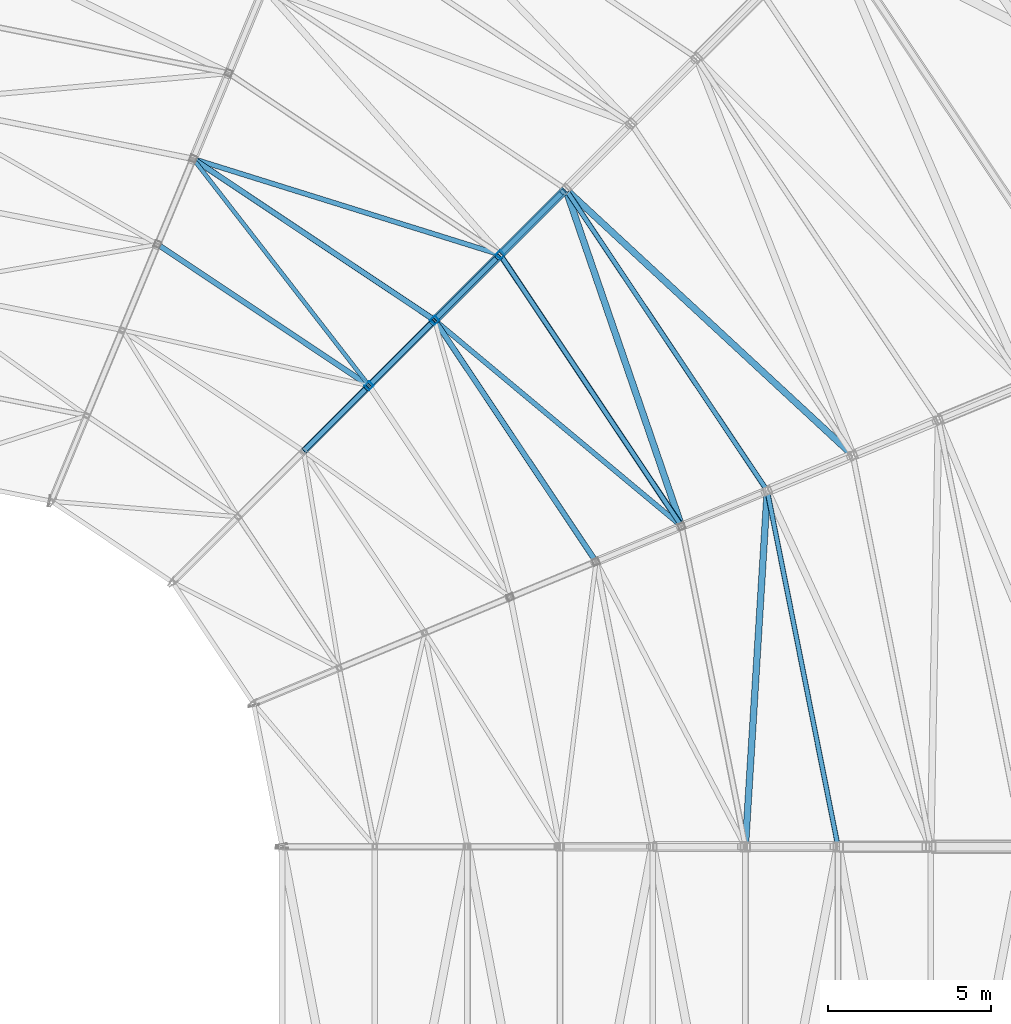
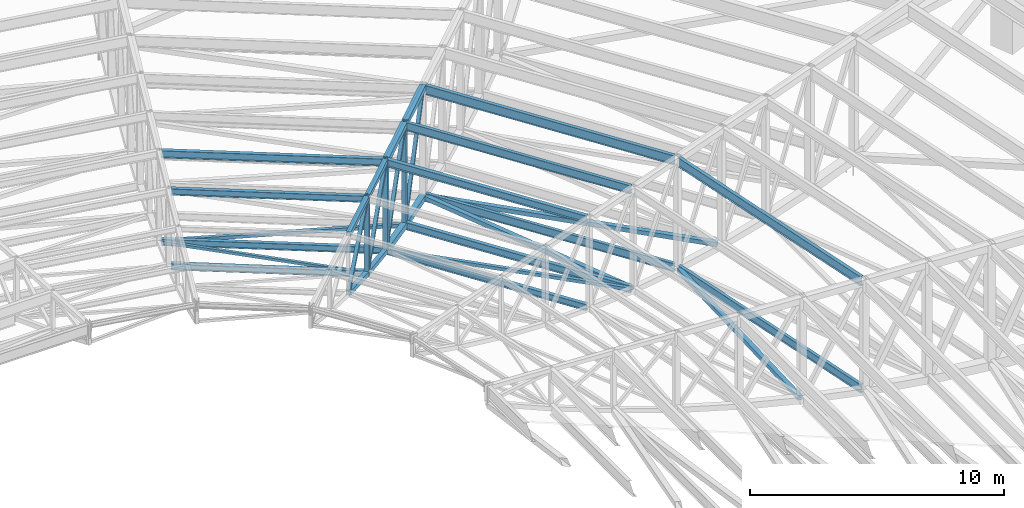
# One storey, part 100 of 278: 22 members, 11 beams.
"""IFC4 building model written with IfcOpenShell, lengths in metres."""

from ifc_helpers import new_model, si_unit, direction, frame, origin, origin_2d, place, context, subcontext, project, spatial, hollow_rectangle, i_section, extrude, material, material_profile, profile_set, type_object, element, save


model = new_model("IFC4")

# Units and contexts
model_context = context("Model", 3, precision=1e-05, world=origin(), true_north=direction((0.0, 1.0)))
body_context = subcontext(model_context, "Body", "Model", "MODEL_VIEW")
ifc_project = project(units=[si_unit("LENGTHUNIT", "METRE"), si_unit("AREAUNIT", "SQUARE_METRE"), si_unit("VOLUMEUNIT", "CUBIC_METRE"), si_unit("PLANEANGLEUNIT", "RADIAN"), si_unit("MASSUNIT", "GRAM", prefix="KILO")], contexts=[model_context])

# Site, building, storey
site_placement = place(None, origin())
site = spatial("IfcSite", under=ifc_project, at=site_placement, CompositionType="ELEMENT")
building_placement = place(site_placement, origin())
building = spatial("IfcBuilding", under=site, at=building_placement, Name="Ogive Plaza Stadium", CompositionType="ELEMENT")
storey_placement = place(building_placement, frame((0.0, 0.0, 29.0)))
storey = spatial("IfcBuildingStorey", under=building, at=storey_placement, Name="Roof", CompositionType="ELEMENT", Elevation=29.0)

# Members
ifc_material_1 = material(Name="Steel ASTM A500 Grade C", Category="steel")
ifc_material_profile_1 = material_profile(ifc_material_1, hollow_rectangle(XDim=0.126953125, YDim=0.126953125, WallThickness=0.005859375, at=origin_2d()), Name="HSS5X5X1/4")
ifc_profile_set_1 = profile_set([ifc_material_profile_1], Name="Steel ASTM A500 Grade C")
member_type_1 = type_object("IfcMemberType", Name="Roof plan brace HSS5X5X1/4", PredefinedType="BRACE", material=ifc_profile_set_1)
member_1_placement = place(storey_placement, frame((48.128173828125, 66.740966796875, 3.242431640625), z_axis=(-0.610365157138, 0.786839994171, -0.091308260987), x_axis=(-0.790140667969, -0.612925545904, 0.0)))
element("IfcMember", 1, at=member_1_placement, inside=storey, type_object=member_type_1, Name="ROOF BRACE B38 4", PredefinedType="BRACE", context=body_context, shape_type="SweptSolid", body=[
    extrude(hollow_rectangle(XDim=0.126953125, YDim=0.126953125, WallThickness=0.005859375, at=origin_2d()), origin(), (0.0, 0.0, 1.0), 8.665771484375),
])
ifc_material_2 = material(Name="Steel ASTM A500 Grade C", Category="steel")
ifc_material_profile_2 = material_profile(ifc_material_2, hollow_rectangle(XDim=0.15234375, YDim=0.15234375, WallThickness=0.005859375, at=origin_2d()), Name="HSS6X6X1/4")
ifc_profile_set_2 = profile_set([ifc_material_profile_2], Name="Steel ASTM A500 Grade C")
member_type_2 = type_object("IfcMemberType", Name="Roof plan brace HSS6X6X1/4", PredefinedType="BRACE", material=ifc_profile_set_2)
member_2_placement = place(storey_placement, frame((42.8388671875, 73.63330078125, 2.434326171875), z_axis=(0.952128458571, -0.297280996197, -0.071241895538), x_axis=(0.29803829123, 0.954553915167, 0.0)))
element("IfcMember", 2, at=member_2_placement, inside=storey, type_object=member_type_2, Name="ROOF BRACE B38 5", PredefinedType="BRACE", context=body_context, shape_type="SweptSolid", body=[
    extrude(hollow_rectangle(XDim=0.15234375, YDim=0.15234375, WallThickness=0.005859375, at=origin_2d()), origin(), (0.0, 0.0, 1.0), 9.71533203125),
])
member_3_placement = place(storey_placement, frame((50.25341796875, 68.64208984375, 2.434326171875), z_axis=(0.765879779934, -0.639024737472, -0.071242877452), x_axis=(0.640652637194, 0.76783083974, 0.0)))
element("IfcMember", 3, at=member_3_placement, inside=storey, type_object=member_type_2, Name="ROOF BRACE B39 5", PredefinedType="BRACE", context=body_context, shape_type="SweptSolid", body=[
    extrude(hollow_rectangle(XDim=0.15234375, YDim=0.15234375, WallThickness=0.005859375, at=origin_2d()), origin(), (0.0, 0.0, 1.0), 9.715087890625),
])
ifc_material_3 = material(Name="Steel ASTM A500 Grade C", Category="steel")
ifc_material_profile_3 = material_profile(ifc_material_3, hollow_rectangle(XDim=0.203125, YDim=0.203125, WallThickness=0.0087890625, at=origin_2d()), Name="HSS8X8X3/8")
ifc_profile_set_3 = profile_set([ifc_material_profile_3], Name="Steel ASTM A500 Grade C")
member_type_3 = type_object("IfcMemberType", Name="Roof plan brace HSS8X8X3/8", PredefinedType="BRACE", material=ifc_profile_set_3)
member_4_placement = place(storey_placement, frame((57.764404296875, 62.427978515625, 1.729248046875), z_axis=(-0.324841491464, 0.944427194148, -0.050351567781), x_axis=(-0.945626669251, -0.325254058239, 0.0)))
element("IfcMember", 4, at=member_4_placement, inside=storey, type_object=member_type_3, Name="ROOF BRACE B39 6", PredefinedType="BRACE", context=body_context, shape_type="SweptSolid", body=[
    extrude(hollow_rectangle(XDim=0.203125, YDim=0.203125, WallThickness=0.0087890625, at=origin_2d()), origin(), (0.0, 0.0, 1.0), 10.739990234375),
])
member_5_placement = place(storey_placement, frame((54.29736328125, 72.654541015625, 1.176513671875), z_axis=(0.732871590616, -0.679343772356, -0.037299740335), x_axis=(0.679816841557, 0.733381934557, 0.0)))
element("IfcMember", 5, at=member_5_placement, inside=storey, type_object=member_type_3, Name="ROOF BRACE B39 7", PredefinedType="BRACE", context=body_context, shape_type="SweptSolid", body=[
    extrude(hollow_rectangle(XDim=0.203125, YDim=0.203125, WallThickness=0.0087890625, at=origin_2d()), origin(), (0.0, 0.0, 1.0), 11.794677734375),
])
member_6_placement = place(storey_placement, frame((59.7578125, 52.628662109375, 1.726806640625), z_axis=(0.061302318892, 0.996847879298, -0.050362001921), x_axis=(-0.998114457362, 0.061380208582, 0.0)))
element("IfcMember", 6, at=member_6_placement, inside=storey, type_object=member_type_3, Name="ROOF BRACE B40 6", PredefinedType="BRACE", context=body_context, shape_type="SweptSolid", body=[
    extrude(hollow_rectangle(XDim=0.203125, YDim=0.203125, WallThickness=0.0087890625, at=origin_2d()), origin(), (0.0, 0.0, 1.0), 10.689208984375),
])
ifc_material_4 = material(Name="Steel ASTM A992 Grade 50", Category="steel")
ifc_material_profile_4 = material_profile(ifc_material_4, i_section(OverallWidth=0.164794921875, OverallDepth=0.310302734375, WebThickness=0.005859375, FlangeThickness=0.009765625, at=origin_2d()), Name="W12X26")
ifc_profile_set_4 = profile_set([ifc_material_profile_4], Name="Steel ASTM A992 Grade 50")
member_type_4 = type_object("IfcMemberType", Name="Roof plan strut W12X26", PredefinedType="STRUT", material=ifc_profile_set_4)
member_7_placement = place(storey_placement, frame((41.74755859375, 70.973876953125, 3.249755859375), z_axis=(0.831474896434, -0.555562324677, 0.0), x_axis=(0.555562324677, 0.831474896434, 0.0)))
element("IfcMember", 7, at=member_7_placement, inside=storey, type_object=member_type_4, Name="ROOF STRUT B38 3", PredefinedType="STRUT", context=body_context, shape_type="SweptSolid", body=[
    extrude(i_section(OverallWidth=0.164794921875, OverallDepth=0.310302734375, WebThickness=0.005859375, FlangeThickness=0.009765625, at=origin_2d()), origin(), (0.0, 0.0, 1.0), 7.643310546875),
])
for number, where, z_axis, x_axis, name in (
    (8, (42.83837890625, 73.60693359375, 2.43994140625), (0.831457792785, -0.555587921771, 0.0), (0.555587921771, 0.831457792785, 0.0), "ROOF STRUT B38 4"),
    (9, (50.24267578125, 68.617919921875, 2.43994140625), (0.555587921771, -0.831457792785, 0.0), (0.831457792785, 0.555587921771, 0.0), "ROOF STRUT B39 4"),
):
    element("IfcMember", number, at=place(storey_placement, frame(where, z_axis=z_axis, x_axis=x_axis)), inside=storey, type_object=member_type_4, Name=name, PredefinedType="STRUT", context=body_context, shape_type="SweptSolid", body=[
        extrude(i_section(OverallWidth=0.164794921875, OverallDepth=0.310302734375, WebThickness=0.005859375, FlangeThickness=0.009765625, at=origin_2d()), origin(), (0.0, 0.0, 1.0), 8.755126953125),
    ])
ifc_material_5 = material(Name="Steel ASTM A992 Grade 50", Category="steel")
ifc_material_profile_5 = material_profile(ifc_material_5, i_section(OverallWidth=0.17138671875, OverallDepth=0.35498046875, WebThickness=0.00732421875, FlangeThickness=0.011474609375, at=origin_2d()), Name="W14X34")
ifc_profile_set_5 = profile_set([ifc_material_profile_5], Name="Steel ASTM A992 Grade 50")
member_type_5 = type_object("IfcMemberType", Name="Roof plan strut W14X34", PredefinedType="STRUT", material=ifc_profile_set_5)
member_8_placement = place(storey_placement, frame((52.25830078125, 70.632568359375, 1.733154296875), z_axis=(0.55557361639, -0.831467351597, 0.0), x_axis=(0.831467351597, 0.55557361639, 0.0)))
element("IfcMember", 10, at=member_8_placement, inside=storey, type_object=member_type_5, Name="ROOF STRUT B39 5", PredefinedType="STRUT", context=body_context, shape_type="SweptSolid", body=[
    extrude(i_section(OverallWidth=0.17138671875, OverallDepth=0.35498046875, WebThickness=0.00732421875, FlangeThickness=0.011474609375, at=origin_2d()), origin(), (0.0, 0.0, 1.0), 9.86572265625),
])
ifc_material_6 = material(Name="Steel ASTM A992 Grade 50", Category="steel")
ifc_material_profile_6 = material_profile(ifc_material_6, i_section(OverallWidth=0.140380859375, OverallDepth=0.4033203125, WebThickness=0.007080078125, FlangeThickness=0.01123046875, at=origin_2d()), Name="W16X31")
ifc_profile_set_6 = profile_set([ifc_material_profile_6], Name="Steel ASTM A992 Grade 50")
member_type_6 = type_object("IfcMemberType", Name="Roof plan strut W16X31", PredefinedType="STRUT", material=ifc_profile_set_6)
member_9_placement = place(storey_placement, frame((54.286376953125, 72.62890625, 1.180419921875), z_axis=(0.555560551847, -0.831476080974, 0.0), x_axis=(0.831476080974, 0.555560551847, 0.0)))
element("IfcMember", 11, at=member_9_placement, inside=storey, type_object=member_type_6, Name="ROOF STRUT B39 6", PredefinedType="STRUT", context=body_context, shape_type="SweptSolid", body=[
    extrude(i_section(OverallWidth=0.140380859375, OverallDepth=0.4033203125, WebThickness=0.007080078125, FlangeThickness=0.01123046875, at=origin_2d()), origin(), (0.0, 0.0, 1.0), 10.93212890625),
])
member_10_placement = place(storey_placement, frame((60.445068359375, 63.33349609375, 1.180419921875), z_axis=(0.195087168164, -0.980785907738, 0.0), x_axis=(0.980785907738, 0.195087168164, 0.0)))
element("IfcMember", 12, at=member_10_placement, inside=storey, type_object=member_type_6, Name="ROOF STRUT B40 6", PredefinedType="STRUT", context=body_context, shape_type="SweptSolid", body=[
    extrude(i_section(OverallWidth=0.140380859375, OverallDepth=0.4033203125, WebThickness=0.007080078125, FlangeThickness=0.01123046875, at=origin_2d()), origin(), (0.0, 0.0, 1.0), 10.90625),
])
ifc_material_7 = material(Name="Steel ASTM A992 Grade 50", Category="steel")
ifc_material_profile_7 = material_profile(ifc_material_7, i_section(OverallWidth=0.164794921875, OverallDepth=0.310302734375, WebThickness=0.005859375, FlangeThickness=0.009765625, at=origin_2d()), Name="W12X26")
ifc_profile_set_7 = profile_set([ifc_material_profile_7], Name="Steel ASTM A992 Grade 50")
member_type_7 = type_object("IfcMemberType", Name="Roof purlin W12X26", PredefinedType="PURLIN", material=ifc_profile_set_7)
member_11_placement = place(storey_placement, frame((41.74755859375, 70.973876953125, 6.84228515625), z_axis=(0.831474896434, -0.555562324677, 0.0), x_axis=(0.555562324677, 0.831474896434, 0.0)))
element("IfcMember", 13, at=member_11_placement, inside=storey, type_object=member_type_7, Name="ROOF PURLIN B38 3", PredefinedType="PURLIN", context=body_context, shape_type="SweptSolid", body=[
    extrude(i_section(OverallWidth=0.164794921875, OverallDepth=0.310302734375, WebThickness=0.005859375, FlangeThickness=0.009765625, at=origin_2d()), origin(), (0.0, 0.0, 1.0), 7.643310546875),
])
ifc_material_8 = material(Name="Steel ASTM A992 Grade 50", Category="steel")
ifc_material_profile_8 = material_profile(ifc_material_8, i_section(OverallWidth=0.17138671875, OverallDepth=0.35498046875, WebThickness=0.00732421875, FlangeThickness=0.011474609375, at=origin_2d()), Name="W14X34")
ifc_profile_set_8 = profile_set([ifc_material_profile_8], Name="Steel ASTM A992 Grade 50")
member_type_8 = type_object("IfcMemberType", Name="Roof purlin W14X34", PredefinedType="PURLIN", material=ifc_profile_set_8)
for number, where, z_axis, x_axis, name in (
    (14, (42.8388671875, 73.6064453125, 6.677490234375), (0.83147489099, -0.555562332825, 0.0), (0.555562332825, 0.83147489099, 0.0), "ROOF PURLIN B38 4"),
    (15, (50.2431640625, 68.617431640625, 6.677490234375), (0.555562332825, -0.83147489099, 0.0), (0.83147489099, 0.555562332825, 0.0), "ROOF PURLIN B39 4"),
):
    element("IfcMember", number, at=place(storey_placement, frame(where, z_axis=z_axis, x_axis=x_axis)), inside=storey, type_object=member_type_8, Name=name, PredefinedType="PURLIN", context=body_context, shape_type="SweptSolid", body=[
        extrude(i_section(OverallWidth=0.17138671875, OverallDepth=0.35498046875, WebThickness=0.00732421875, FlangeThickness=0.011474609375, at=origin_2d()), origin(), (0.0, 0.0, 1.0), 8.75390625),
    ])
ifc_material_9 = material(Name="Steel ASTM A992 Grade 50", Category="steel")
ifc_material_profile_9 = material_profile(ifc_material_9, i_section(OverallWidth=0.140380859375, OverallDepth=0.4033203125, WebThickness=0.007080078125, FlangeThickness=0.01123046875, at=origin_2d()), Name="W16X31")
ifc_profile_set_9 = profile_set([ifc_material_profile_9], Name="Steel ASTM A992 Grade 50")
member_type_9 = type_object("IfcMemberType", Name="Roof purlin W16X31", PredefinedType="PURLIN", material=ifc_profile_set_9)
member_12_placement = place(storey_placement, frame((52.256591796875, 70.63525390625, 6.5107421875), z_axis=(0.555573071416, -0.831467715739, 0.0), x_axis=(0.831467715739, 0.555573071416, 0.0)))
element("IfcMember", 16, at=member_12_placement, inside=storey, type_object=member_type_9, Name="ROOF PURLIN B39 5", PredefinedType="PURLIN", context=body_context, shape_type="SweptSolid", body=[
    extrude(i_section(OverallWidth=0.140380859375, OverallDepth=0.4033203125, WebThickness=0.007080078125, FlangeThickness=0.01123046875, at=origin_2d()), origin(), (0.0, 0.0, 1.0), 9.8720703125),
])
ifc_material_10 = material(Name="Steel ASTM A992 Grade 50", Category="steel")
ifc_material_profile_10 = material_profile(ifc_material_10, i_section(OverallWidth=0.15234375, OverallDepth=0.449462890625, WebThickness=0.007568359375, FlangeThickness=0.0107421875, at=origin_2d()), Name="W18X35")
ifc_profile_set_10 = profile_set([ifc_material_profile_10], Name="Steel ASTM A992 Grade 50")
member_type_10 = type_object("IfcMemberType", Name="Roof purlin W18X35", PredefinedType="PURLIN", material=ifc_profile_set_10)
member_13_placement = place(storey_placement, frame((54.286865234375, 72.6279296875, 6.34521484375), z_axis=(0.555581326448, -0.831462199803, 0.0), x_axis=(0.831462199803, 0.555581326448, 0.0)))
element("IfcMember", 17, at=member_13_placement, inside=storey, type_object=member_type_10, Name="ROOF PURLIN B39 6", PredefinedType="PURLIN", context=body_context, shape_type="SweptSolid", body=[
    extrude(i_section(OverallWidth=0.15234375, OverallDepth=0.449462890625, WebThickness=0.007568359375, FlangeThickness=0.0107421875, at=origin_2d()), origin(), (0.0, 0.0, 1.0), 10.929931640625),
])
member_14_placement = place(storey_placement, frame((60.4453125, 63.332275390625, 6.34521484375), z_axis=(0.195086933188, -0.980785954477, 0.0), x_axis=(0.980785954477, 0.195086933188, 0.0)))
element("IfcMember", 18, at=member_14_placement, inside=storey, type_object=member_type_10, Name="ROOF PURLIN B40 6", PredefinedType="PURLIN", context=body_context, shape_type="SweptSolid", body=[
    extrude(i_section(OverallWidth=0.15234375, OverallDepth=0.449462890625, WebThickness=0.007568359375, FlangeThickness=0.0107421875, at=origin_2d()), origin(), (0.0, 0.0, 1.0), 10.90380859375),
])

# Beams
ifc_material_11 = material(Name="Steel ASTM A500 Grade C", Category="steel")
ifc_material_profile_11 = material_profile(ifc_material_11, hollow_rectangle(XDim=0.25390625, YDim=0.25390625, WallThickness=0.01171875, at=origin_2d()), Name="HSS10X10X1/2")
ifc_profile_set_11 = profile_set([ifc_material_profile_11], Name="Steel ASTM A500 Grade C")
beam_type_1 = type_object("IfcBeamType", Name="Roof truss bottom chord HSS10X10X1/2", PredefinedType="BEAM", material=ifc_profile_set_11)
beam_1_placement = place(storey_placement, frame((50.222412109375, 68.722412109375, 2.433349609375), z_axis=(0.686330364607, 0.686330364607, -0.240626809059), x_axis=(-0.707106781187, 0.707106781187, 0.0)))
element("IfcBeam", 19, at=beam_1_placement, inside=storey, type_object=beam_type_1, Name="ROOF TRUSS T39 BOTTOM CHORD 5", PredefinedType="BEAM", context=body_context, shape_type="SweptSolid", body=[
    extrude(hollow_rectangle(XDim=0.25390625, YDim=0.25390625, WallThickness=0.01171875, at=origin_2d()), origin(), (0.0, 0.0, 1.0), 2.85009765625),
])
beam_2_placement = place(storey_placement, frame((52.2412109375, 70.7412109375, 1.726318359375), z_axis=(0.692987168322, 0.692987168322, -0.198840561966), x_axis=(-0.707106781187, 0.707106781187, 0.0)))
element("IfcBeam", 20, at=beam_2_placement, inside=storey, type_object=beam_type_1, Name="ROOF TRUSS T39 BOTTOM CHORD 6", PredefinedType="BEAM", context=body_context, shape_type="SweptSolid", body=[
    extrude(hollow_rectangle(XDim=0.25390625, YDim=0.25390625, WallThickness=0.01171875, at=origin_2d()), origin(), (0.0, 0.0, 1.0), 2.809326171875),
])
ifc_material_12 = material(Name="Steel ASTM A500 Grade C", Category="steel")
ifc_material_profile_12 = material_profile(ifc_material_12, hollow_rectangle(XDim=0.203125, YDim=0.203125, WallThickness=0.01171875, at=origin_2d()), Name="HSS8X8X1/2")
ifc_profile_set_12 = profile_set([ifc_material_profile_12], Name="Steel ASTM A500 Grade C")
beam_type_2 = type_object("IfcBeamType", Name="Roof truss bottom chord HSS8X8X1/2", PredefinedType="BEAM", material=ifc_profile_set_12)
beam_3_placement = place(storey_placement, frame((46.185302734375, 64.685302734375, 4.208251953125), z_axis=(0.669842885188, 0.669842885188, -0.32034515499), x_axis=(-0.707106781187, 0.707106781187, 0.0)))
element("IfcBeam", 21, at=beam_3_placement, inside=storey, type_object=beam_type_2, Name="ROOF TRUSS T39 BOTTOM CHORD 3", PredefinedType="BEAM", context=body_context, shape_type="SweptSolid", body=[
    extrude(hollow_rectangle(XDim=0.203125, YDim=0.203125, WallThickness=0.01171875, at=origin_2d()), origin(), (0.0, 0.0, 1.0), 2.93115234375),
])
beam_4_placement = place(storey_placement, frame((48.208740234375, 66.708740234375, 3.2412109375), z_axis=(0.678564027616, 0.678564027616, -0.281250281514), x_axis=(-0.707106781187, 0.707106781187, 0.0)))
element("IfcBeam", 22, at=beam_4_placement, inside=storey, type_object=beam_type_2, Name="ROOF TRUSS T39 BOTTOM CHORD 4", PredefinedType="BEAM", context=body_context, shape_type="SweptSolid", body=[
    extrude(hollow_rectangle(XDim=0.203125, YDim=0.203125, WallThickness=0.01171875, at=origin_2d()), origin(), (0.0, 0.0, 1.0), 2.877685546875),
])

# Members
ifc_material_13 = material(Name="Steel ASTM A500 Grade C", Category="steel")
ifc_material_profile_13 = material_profile(ifc_material_13, hollow_rectangle(XDim=0.15234375, YDim=0.15234375, WallThickness=0.005859375, at=origin_2d()), Name="HSS6X6X1/4")
ifc_profile_set_13 = profile_set([ifc_material_profile_13], Name="Steel ASTM A500 Grade C")
member_type_11 = type_object("IfcMemberType", Name="Roof truss diagonal HSS6X6X1/4", PredefinedType="BRACE", material=ifc_profile_set_13)
member_15_placement = place(storey_placement, frame((46.216064453125, 64.716064453125, 4.315185546875), z_axis=(0.518402991989, 0.518402991989, 0.680085785614), x_axis=(-0.707106781187, 0.707106781187, 0.0)))
element("IfcMember", 23, at=member_15_placement, inside=storey, type_object=member_type_11, Name="ROOF TRUSS T39 DIAGONAL 3", PredefinedType="BRACE", context=body_context, shape_type="SweptSolid", body=[
    extrude(hollow_rectangle(XDim=0.15234375, YDim=0.15234375, WallThickness=0.005859375, at=origin_2d()), origin(), (0.0, 0.0, 1.0), 3.64501953125),
])
member_16_placement = place(storey_placement, frame((48.249267578125, 66.749267578125, 3.3515625), z_axis=(0.442396624327, 0.442396624327, 0.780109257456), x_axis=(-0.707106781187, 0.707106781187, 0.0)))
element("IfcMember", 24, at=member_16_placement, inside=storey, type_object=member_type_11, Name="ROOF TRUSS T39 DIAGONAL 4", PredefinedType="BRACE", context=body_context, shape_type="SweptSolid", body=[
    extrude(hollow_rectangle(XDim=0.15234375, YDim=0.15234375, WallThickness=0.005859375, at=origin_2d()), origin(), (0.0, 0.0, 1.0), 4.23046875),
])
member_17_placement = place(storey_placement, frame((50.2646484375, 68.7646484375, 2.56689453125), z_axis=(0.397667434985, 0.397667434985, 0.826874369118), x_axis=(-0.707106781187, 0.707106781187, 0.0)))
element("IfcMember", 25, at=member_17_placement, inside=storey, type_object=member_type_11, Name="ROOF TRUSS T39 DIAGONAL 5", PredefinedType="BRACE", context=body_context, shape_type="SweptSolid", body=[
    extrude(hollow_rectangle(XDim=0.15234375, YDim=0.15234375, WallThickness=0.005859375, at=origin_2d()), origin(), (0.0, 0.0, 1.0), 4.706298828125),
])
ifc_material_14 = material(Name="Steel ASTM A500 Grade C", Category="steel")
ifc_material_profile_14 = material_profile(ifc_material_14, hollow_rectangle(XDim=0.15234375, YDim=0.15234375, WallThickness=0.0087890625, at=origin_2d()), Name="HSS6X6X3/8")
ifc_profile_set_14 = profile_set([ifc_material_profile_14], Name="Steel ASTM A500 Grade C")
member_type_12 = type_object("IfcMemberType", Name="Roof truss diagonal HSS6X6X3/8", PredefinedType="BRACE", material=ifc_profile_set_14)
member_18_placement = place(storey_placement, frame((52.27978515625, 70.77978515625, 1.8603515625), z_axis=(0.358587564361, 0.358587564361, 0.861875813195), x_axis=(-0.707106781187, 0.707106781187, 0.0)))
element("IfcMember", 26, at=member_18_placement, inside=storey, type_object=member_type_12, Name="ROOF TRUSS T39 DIAGONAL 6", PredefinedType="BRACE", context=body_context, shape_type="SweptSolid", body=[
    extrude(hollow_rectangle(XDim=0.15234375, YDim=0.15234375, WallThickness=0.0087890625, at=origin_2d()), origin(), (0.0, 0.0, 1.0), 5.169677734375),
])

# Beams
ifc_material_15 = material(Name="Steel ASTM A500 Grade C", Category="steel")
ifc_material_profile_15 = material_profile(ifc_material_15, hollow_rectangle(XDim=0.203125, YDim=0.203125, WallThickness=0.0087890625, at=origin_2d()), Name="HSS8X8X3/8")
ifc_profile_set_15 = profile_set([ifc_material_profile_15], Name="Steel ASTM A500 Grade C")
beam_type_3 = type_object("IfcBeamType", Name="Roof truss post HSS8X8X3/8", PredefinedType="BEAM", material=ifc_profile_set_15)
beam_5_placement = place(storey_placement, frame((48.177490234375, 66.677490234375, 3.148193359375), z_axis=(0.0, 0.0, 1.0), x_axis=(-0.707106781187, 0.707106781187, 0.0)))
element("IfcBeam", 27, at=beam_5_placement, inside=storey, type_object=beam_type_3, Name="ROOF TRUSS T39 POST 4", PredefinedType="BEAM", context=body_context, shape_type="SweptSolid", body=[
    extrude(hollow_rectangle(XDim=0.203125, YDim=0.203125, WallThickness=0.0087890625, at=origin_2d()), origin(), (0.0, 0.0, 1.0), 3.849365234375),
])
beam_6_placement = place(storey_placement, frame((50.192626953125, 68.692626953125, 2.31298828125), z_axis=(0.0, 0.0, 1.0), x_axis=(-0.707106781187, 0.707106781187, 0.0)))
element("IfcBeam", 28, at=beam_6_placement, inside=storey, type_object=beam_type_3, Name="ROOF TRUSS T39 POST 5", PredefinedType="BEAM", context=body_context, shape_type="SweptSolid", body=[
    extrude(hollow_rectangle(XDim=0.203125, YDim=0.203125, WallThickness=0.0087890625, at=origin_2d()), origin(), (0.0, 0.0, 1.0), 4.5419921875),
])
beam_7_placement = place(storey_placement, frame((52.2080078125, 70.7080078125, 1.606201171875), z_axis=(0.0, 0.0, 1.0), x_axis=(-0.707106781187, 0.707106781187, 0.0)))
element("IfcBeam", 29, at=beam_7_placement, inside=storey, type_object=beam_type_3, Name="ROOF TRUSS T39 POST 6", PredefinedType="BEAM", context=body_context, shape_type="SweptSolid", body=[
    extrude(hollow_rectangle(XDim=0.203125, YDim=0.203125, WallThickness=0.0087890625, at=origin_2d()), origin(), (0.0, 0.0, 1.0), 5.106201171875),
])
ifc_material_16 = material(Name="Steel ASTM A500 Grade C", Category="steel")
ifc_material_profile_16 = material_profile(ifc_material_16, hollow_rectangle(XDim=0.25390625, YDim=0.25390625, WallThickness=0.0087890625, at=origin_2d()), Name="HSS10X10X3/8")
ifc_profile_set_16 = profile_set([ifc_material_profile_16], Name="Steel ASTM A500 Grade C")
beam_type_4 = type_object("IfcBeamType", Name="Roof truss top chord HSS10X10X3/8", PredefinedType="BEAM", material=ifc_profile_set_16)
for number, where, z_axis, x_axis, name in (
    (30, (50.22802734375, 68.72802734375, 6.725341796875), (0.706225209818, 0.706225209818, -0.049918994743), (-0.707106781187, 0.707106781187, 0.0), "ROOF TRUSS T39 TOP CHORD 5"),
    (31, (52.243408203125, 70.743408203125, 6.582763671875), (0.706225209818, 0.706225209818, -0.049918994743), (-0.707106781187, 0.707106781187, 0.0), "ROOF TRUSS T39 TOP CHORD 6"),
):
    element("IfcBeam", number, at=place(storey_placement, frame(where, z_axis=z_axis, x_axis=x_axis)), inside=storey, type_object=beam_type_4, Name=name, PredefinedType="BEAM", context=body_context, shape_type="SweptSolid", body=[
        extrude(hollow_rectangle(XDim=0.25390625, YDim=0.25390625, WallThickness=0.0087890625, at=origin_2d()), origin(), (0.0, 0.0, 1.0), 2.75341796875),
    ])
ifc_material_17 = material(Name="Steel ASTM A500 Grade C", Category="steel")
ifc_material_profile_17 = material_profile(ifc_material_17, hollow_rectangle(XDim=0.203125, YDim=0.203125, WallThickness=0.0087890625, at=origin_2d()), Name="HSS8X8X3/8")
ifc_profile_set_17 = profile_set([ifc_material_profile_17], Name="Steel ASTM A500 Grade C")
beam_type_5 = type_object("IfcBeamType", Name="Roof truss top chord HSS8X8X3/8", PredefinedType="BEAM", material=ifc_profile_set_17)
beam_8_placement = place(storey_placement, frame((46.19140625, 64.69140625, 7.0361328125), z_axis=(0.706224483958, 0.706224483958, -0.04993952859), x_axis=(-0.707106781187, 0.707106781187, 0.0)))
element("IfcBeam", 32, at=beam_8_placement, inside=storey, type_object=beam_type_5, Name="ROOF TRUSS T39 TOP CHORD 3", PredefinedType="BEAM", context=body_context, shape_type="SweptSolid", body=[
    extrude(hollow_rectangle(XDim=0.203125, YDim=0.203125, WallThickness=0.0087890625, at=origin_2d()), origin(), (0.0, 0.0, 1.0), 2.76220703125),
])
beam_9_placement = place(storey_placement, frame((48.212890625, 66.712890625, 6.893310546875), z_axis=(0.706225209818, 0.706225209818, -0.049918994743), x_axis=(-0.707106781187, 0.707106781187, 0.0)))
element("IfcBeam", 33, at=beam_9_placement, inside=storey, type_object=beam_type_5, Name="ROOF TRUSS T39 TOP CHORD 4", PredefinedType="BEAM", context=body_context, shape_type="SweptSolid", body=[
    extrude(hollow_rectangle(XDim=0.203125, YDim=0.203125, WallThickness=0.0087890625, at=origin_2d()), origin(), (0.0, 0.0, 1.0), 2.75341796875),
])

save(model, "model.ifc")
